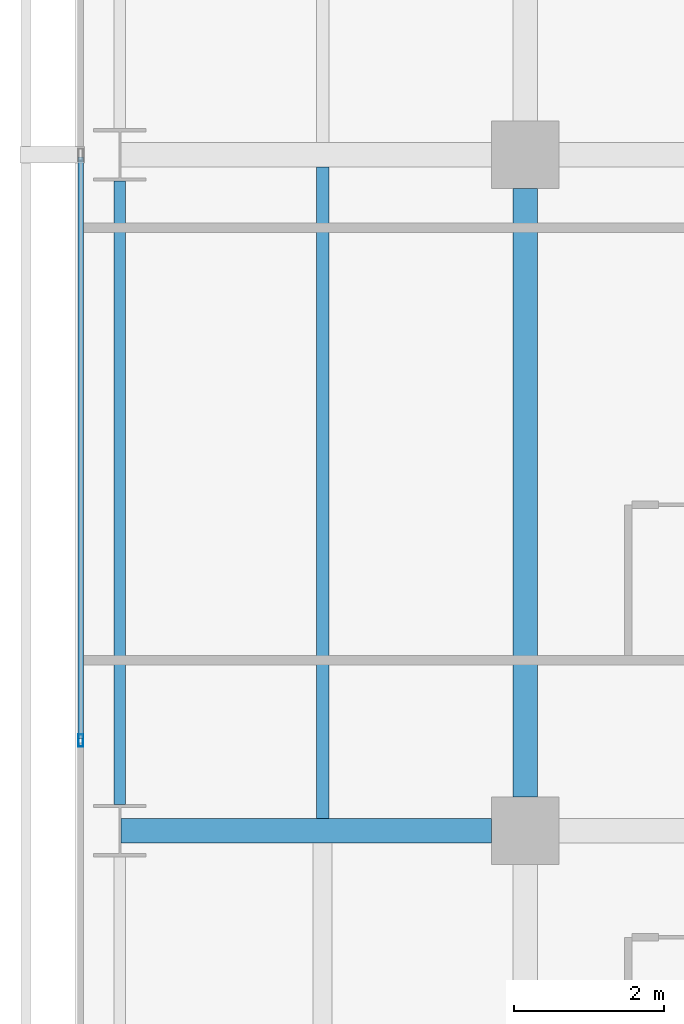
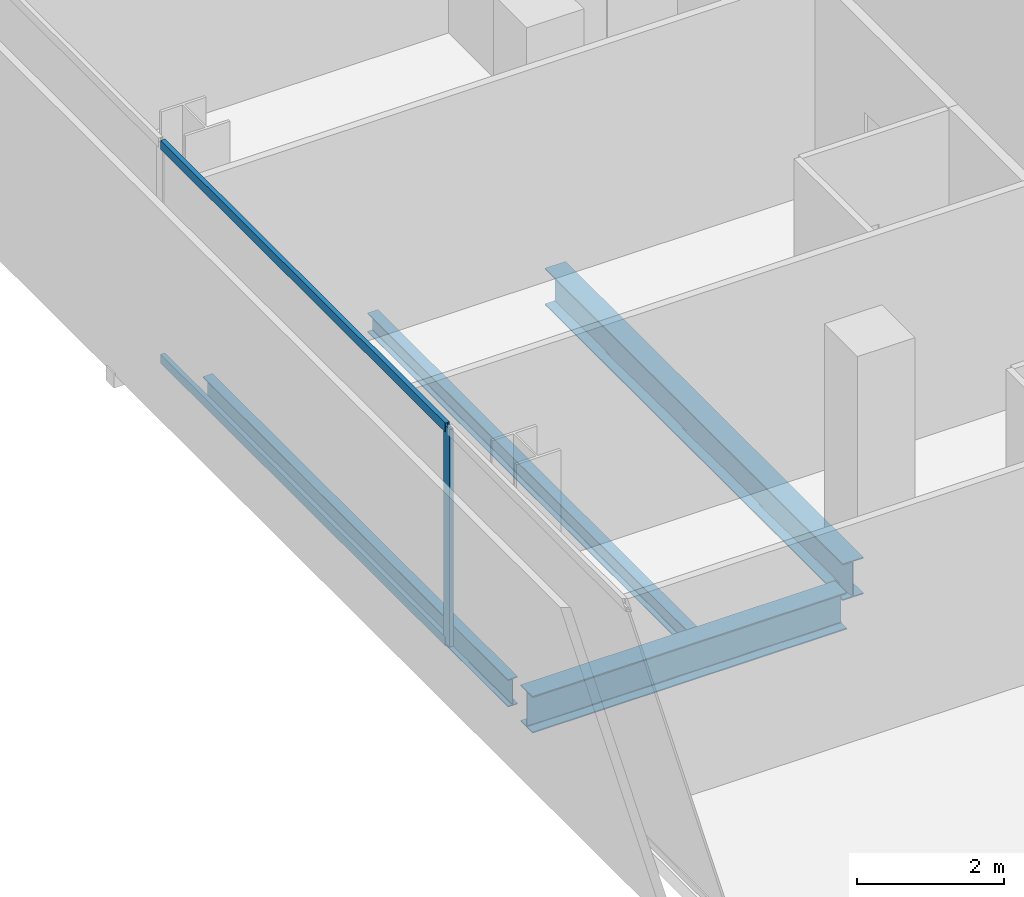
# One storey, part 10 of 40: 4 beams, 3 members, 1 element without a shape of its own.
"""IFC4 building model written with IfcOpenShell, lengths in metres."""

from ifc_helpers import new_model, si_unit, direction, frame, origin, origin_2d, place, context, subcontext, project, spatial, hollow_rectangle, i_section, extrude, material, layer, layer_set, material_profile, profile_set, type_object, element, aggregate, save


model = new_model("IFC4")

# Units and contexts
model_context = context("Model", 3, precision=1e-05, world=origin(), true_north=direction((0.0, 1.0)))
body_context = subcontext(model_context, "Body", "Model", "MODEL_VIEW")
ifc_project = project(units=[si_unit("LENGTHUNIT", "METRE"), si_unit("AREAUNIT", "SQUARE_METRE"), si_unit("VOLUMEUNIT", "CUBIC_METRE"), si_unit("PLANEANGLEUNIT", "RADIAN"), si_unit("MASSUNIT", "GRAM", prefix="KILO")], contexts=[model_context])

# Site, building, storey
site_placement = place(None, origin())
site = spatial("IfcSite", under=ifc_project, at=site_placement, CompositionType="ELEMENT")
building_placement = place(site_placement, origin())
building = spatial("IfcBuilding", under=site, at=building_placement, Name="Maruvema Waterfront Hotel and Observation Tower", CompositionType="ELEMENT")
storey_placement = place(building_placement, frame((0.0, 0.0, 92.39990234375)))
storey = spatial("IfcBuildingStorey", under=building, at=storey_placement, Name="L22", CompositionType="ELEMENT", Elevation=92.39990234375)

# Curtain wall, members
ifc_material_1 = material(Name="Anodised bronze aluminium and solar-control low-E IGU", Category="aluminium")
ifc_layer = layer(ifc_material_1, 0.159912109375, Name="Zone 1 Bronze Inner Thermal Curtain Wall System CW-02")
ifc_layer_set = layer_set([ifc_layer], Name="Anodised bronze aluminium and solar-control low-E IGU")
curtain_wall_type = type_object("IfcCurtainWallType", Name="Zone 1 Bronze Inner Thermal Curtain Wall System CW-02", PredefinedType="USERDEFINED", material=ifc_layer_set)
curtain_wall_placement = place(storey_placement, origin())
curtain_wall = element("IfcCurtainWall", 1, at=curtain_wall_placement, inside=storey, type_object=curtain_wall_type, Name="L22 Curtain Wall CW-L22-W", ObjectType="UNITISED CURTAIN WALL", PredefinedType="USERDEFINED")
ifc_material_2 = material(Name="Anodised architectural bronze aluminium", Category="aluminium")
ifc_material_profile_1 = material_profile(ifc_material_2, hollow_rectangle(XDim=0.070068359375, YDim=0.14990234375, WallThickness=0.00390625, at=origin_2d()), Name="ALU-T70x150")
ifc_profile_set_1 = profile_set([ifc_material_profile_1], Name="Anodised architectural bronze aluminium")
member_type_1 = type_object("IfcMemberType", Name="Curtain Wall Horizontal Transom ALU-T70x150", PredefinedType="USERDEFINED", material=ifc_profile_set_1)
member_1_placement = place(storey_placement, frame((10.8798828125, 26.969970703125, 0.030029296875), z_axis=(0.0, -1.0, 0.0), x_axis=(1.0, 0.0, 0.0)))
member_1 = element("IfcMember", 2, at=member_1_placement, type_object=member_type_1, Name="CW-02 transom 4.1", ObjectType="TRANSOM", PredefinedType="USERDEFINED", context=body_context, shape_type="SweptSolid", body=[
    extrude(hollow_rectangle(XDim=0.070068359375, YDim=0.14990234375, WallThickness=0.00390625, at=origin_2d()), origin(), (0.0, 0.0, 1.0), 7.739990234375),
])
member_2_placement = place(storey_placement, frame((10.8798828125, 26.969970703125, 3.580078125), z_axis=(0.0, -1.0, 0.0), x_axis=(1.0, 0.0, 0.0)))
member_2 = element("IfcMember", 3, at=member_2_placement, type_object=member_type_1, Name="CW-02 transom 4.2", ObjectType="TRANSOM", PredefinedType="USERDEFINED", context=body_context, shape_type="SweptSolid", body=[
    extrude(hollow_rectangle(XDim=0.070068359375, YDim=0.14990234375, WallThickness=0.00390625, at=origin_2d()), origin(), (0.0, 0.0, 1.0), 7.739990234375),
])
ifc_material_3 = material(Name="Anodised architectural bronze aluminium", Category="aluminium")
ifc_material_profile_2 = material_profile(ifc_material_3, hollow_rectangle(XDim=0.06494140625, YDim=0.1650390625, WallThickness=0.00390625, at=origin_2d()), Name="ALU-M65x165")
ifc_profile_set_2 = profile_set([ifc_material_profile_2], Name="Anodised architectural bronze aluminium")
member_type_2 = type_object("IfcMemberType", Name="Curtain Wall Primary Mullion ALU-M65x165", PredefinedType="MULLION", material=ifc_profile_set_2)
member_3_placement = place(storey_placement, frame((10.8798828125, 19.199951171875, 0.0), z_axis=(0.0, 0.0, 1.0), x_axis=(1.0, 0.0, 0.0)))
member_3 = element("IfcMember", 4, at=member_3_placement, type_object=member_type_2, Name="CW-02 mullion 5", PredefinedType="MULLION", context=body_context, shape_type="SweptSolid", body=[
    extrude(hollow_rectangle(XDim=0.06494140625, YDim=0.1650390625, WallThickness=0.00390625, at=origin_2d()), origin(), (0.0, 0.0, 1.0), 3.610107421875),
])
aggregate(curtain_wall, [member_3, member_1, member_2])

# Beams
ifc_material_4 = material(Name="Steel ASTM A572 Grade 50", Category="steel")
ifc_material_profile_3 = material_profile(ifc_material_4, i_section(OverallWidth=0.153076171875, OverallDepth=0.455078125, WebThickness=0.008056640625, FlangeThickness=0.01318359375, FilletRadius=0.014892578125, at=origin_2d()), Name="W460x60.0")
ifc_profile_set_3 = profile_set([ifc_material_profile_3], Name="Steel ASTM A572 Grade 50")
beam_type_1 = type_object("IfcBeamType", Name="Perimeter Spandrel Beam W460x60.0", PredefinedType="SPANDREL", material=ifc_profile_set_3)
beam_1_placement = place(storey_placement, frame((11.39990234375, 18.35009765625, -0.46728515625), z_axis=(0.0, 1.0, 0.0), x_axis=(-1.0, 0.0, 0.0)))
element("IfcBeam", 5, at=beam_1_placement, inside=storey, type_object=beam_type_1, Name="L22 Floor Girder NS-02", PredefinedType="SPANDREL", context=body_context, shape_type="SweptSolid", body=[
    extrude(i_section(OverallWidth=0.153076171875, OverallDepth=0.455078125, WebThickness=0.008056640625, FlangeThickness=0.01318359375, FilletRadius=0.014892578125, at=origin_2d()), origin(), (0.0, 0.0, 1.0), 8.2998046875),
])
ifc_material_5 = material(Name="Steel ASTM A572 Grade 50", Category="steel")
ifc_material_profile_4 = material_profile(ifc_material_5, i_section(OverallWidth=0.323974609375, OverallDepth=0.611083984375, WebThickness=0.0126953125, FlangeThickness=0.01904296875, FilletRadius=0.01806640625, at=origin_2d()), Name="W610x155.0")
ifc_profile_set_4 = profile_set([ifc_material_profile_4], Name="Steel ASTM A572 Grade 50")
beam_type_2 = type_object("IfcBeamType", Name="Primary Floor Girder W610x155.0", PredefinedType="BEAM", material=ifc_profile_set_4)
beam_2_placement = place(storey_placement, frame((11.4140625, 18.0, -0.54541015625), z_axis=(1.0, 0.0, 0.0), x_axis=(0.0, 1.0, 0.0)))
element("IfcBeam", 6, at=beam_2_placement, inside=storey, type_object=beam_type_2, Name="L22 Floor Girder EW-13", PredefinedType="BEAM", context=body_context, shape_type="SweptSolid", body=[
    extrude(i_section(OverallWidth=0.323974609375, OverallDepth=0.611083984375, WebThickness=0.0126953125, FlangeThickness=0.01904296875, FilletRadius=0.01806640625, at=origin_2d()), origin(), (0.0, 0.0, 1.0), 4.93603515625),
])
beam_3_placement = place(storey_placement, frame((16.800048828125, 18.449951171875, -0.54541015625), z_axis=(0.0, 1.0, 0.0), x_axis=(-1.0, 0.0, 0.0)))
element("IfcBeam", 7, at=beam_3_placement, inside=storey, type_object=beam_type_2, Name="L22 Floor Girder NS-07", PredefinedType="BEAM", context=body_context, shape_type="SweptSolid", body=[
    extrude(i_section(OverallWidth=0.323974609375, OverallDepth=0.611083984375, WebThickness=0.0126953125, FlangeThickness=0.01904296875, FilletRadius=0.01806640625, at=origin_2d()), origin(), (0.0, 0.0, 1.0), 8.10009765625),
])
ifc_material_6 = material(Name="Steel ASTM A572 Grade 50", Category="steel")
ifc_material_profile_5 = material_profile(ifc_material_6, i_section(OverallWidth=0.1669921875, OverallDepth=0.31689453125, WebThickness=0.007568359375, FlangeThickness=0.01318359375, FilletRadius=0.012939453125, at=origin_2d()), Name="W310x52.0")
ifc_profile_set_5 = profile_set([ifc_material_profile_5], Name="Steel ASTM A572 Grade 50")
beam_type_3 = type_object("IfcBeamType", Name="Secondary Floor Joist W310x52.0", PredefinedType="JOIST", material=ifc_profile_set_5)
beam_4_placement = place(storey_placement, frame((14.10009765625, 18.162109375, -0.3984375), z_axis=(0.0, 1.0, 0.0), x_axis=(-1.0, 0.0, 0.0)))
element("IfcBeam", 8, at=beam_4_placement, inside=storey, type_object=beam_type_3, Name="L22 Secondary Floor Joist JS-02", PredefinedType="JOIST", context=body_context, shape_type="SweptSolid", body=[
    extrude(i_section(OverallWidth=0.1669921875, OverallDepth=0.31689453125, WebThickness=0.007568359375, FlangeThickness=0.01318359375, FilletRadius=0.012939453125, at=origin_2d()), origin(), (0.0, 0.0, 1.0), 8.67578125),
])

save(model, "model.ifc")
